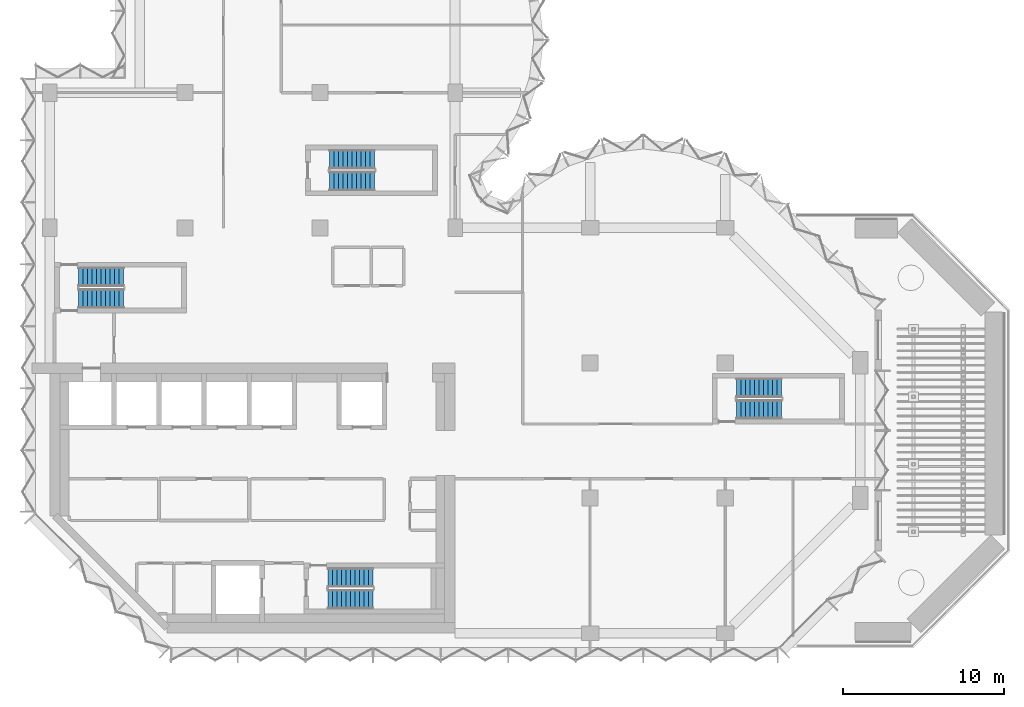
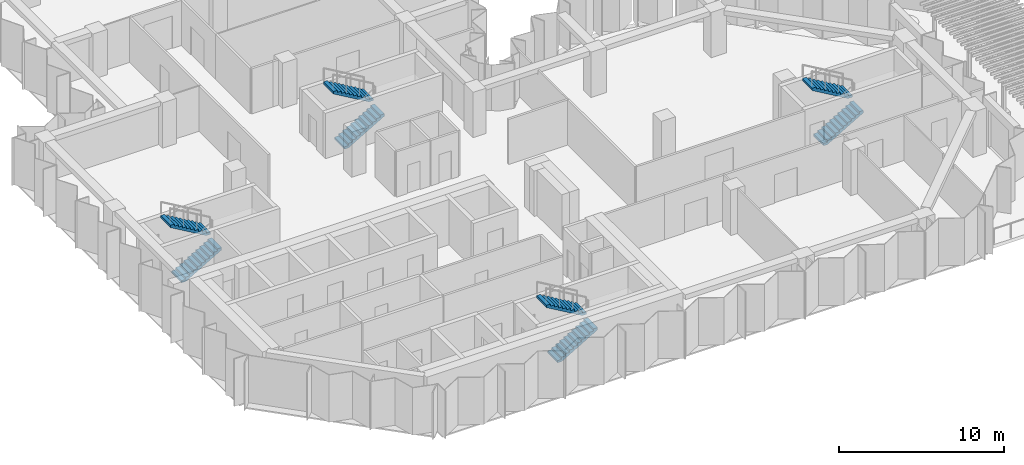
# One storey, part 11 of 14: 8 stair flights, 4 elements without a shape of their own.
"""IFC4 building model written with IfcOpenShell, lengths in metres."""

from ifc_helpers import new_model, si_unit, direction, frame, origin, place, context, subcontext, project, spatial, polyline, outline, extrude, material, type_object, element, aggregate, save


model = new_model("IFC4")

# Units and contexts
model_context = context("Model", 3, precision=1e-05, world=origin(), true_north=direction((0.0, 1.0)))
body_context = subcontext(model_context, "Body", "Model", "MODEL_VIEW")
ifc_project = project(units=[si_unit("LENGTHUNIT", "METRE"), si_unit("AREAUNIT", "SQUARE_METRE"), si_unit("VOLUMEUNIT", "CUBIC_METRE"), si_unit("PLANEANGLEUNIT", "RADIAN"), si_unit("MASSUNIT", "GRAM", prefix="KILO")], contexts=[model_context])

# Site, building, storey
site_placement = place(None, origin())
site = spatial("IfcSite", under=ifc_project, at=site_placement, CompositionType="ELEMENT")
building_placement = place(site_placement, origin())
building = spatial("IfcBuilding", under=site, at=building_placement, Name="Brevane Broadcast Tower", CompositionType="ELEMENT")
storey_placement = place(building_placement, frame((0.0, 0.0, 184.800048828125)))
storey = spatial("IfcBuildingStorey", under=building, at=storey_placement, Name="L46", CompositionType="ELEMENT", Elevation=184.800048828125)

# Stair, stair flights
ifc_material = material(Name="Concrete C50/60", Category="concrete")
stair_type = type_object("IfcStairType", Name="Exit stair 22 risers", PredefinedType="HALF_TURN_STAIR", material=ifc_material)
stair_1_placement = place(storey_placement, origin())
stair_1 = element("IfcStair", 1, at=stair_1_placement, inside=storey, type_object=stair_type, Name="L46 Exit stair ST-1", PredefinedType="HALF_TURN_STAIR")
stair_flight_type = type_object("IfcStairFlightType", Name="Exit stair flight 22 risers", PredefinedType="STRAIGHT", material=ifc_material)
stair_flight_1_placement = place(storey_placement, frame((1.800048828125, 20.800048828125, 0.0), z_axis=(0.0, 0.0, 1.0), x_axis=(1.0, 0.0, 0.0)))
stair_flight_1 = element("IfcStairFlight", 2, at=stair_flight_1_placement, type_object=stair_flight_type, Name="ST-1 flight 1", NumberOfRisers=11, NumberOfTreads=10, PredefinedType="STRAIGHT", RiserHeight=0.163636364, TreadLength=0.28, context=body_context, shape_type="SweptSolid", body=[
    extrude(outline(polyline([(0.0, 0.0), (0.0, 0.16357421875), (0.280029296875, 0.16357421875), (0.280029296875, 0.327392578125), (0.56005859375, 0.327392578125), (0.56005859375, 0.490966796875), (0.840087890625, 0.490966796875), (0.840087890625, 0.654541015625), (1.1201171875, 0.654541015625), (1.1201171875, 0.818115234375), (1.39990234375, 0.818115234375), (1.39990234375, 0.98193359375), (1.679931640625, 0.98193359375), (1.679931640625, 1.1455078125), (1.9599609375, 1.1455078125), (1.9599609375, 1.30908203125), (2.239990234375, 1.30908203125), (2.239990234375, 1.47265625), (2.52001953125, 1.47265625), (2.52001953125, 1.636474609375), (2.800048828125, 1.636474609375), (2.800048828125, 1.800048828125), (2.800048828125, 1.462646484375), (0.297119140625, 0.0), (0.0, 0.0)])), frame((0.0, 0.60009765625, 0.0), z_axis=(0.0, -1.0, 0.0), x_axis=(1.0, 0.0, 0.0)), (0.0, 0.0, 1.0), 1.199951171875),
])
stair_flight_2_placement = place(storey_placement, frame((4.60009765625, 22.14990234375, 1.800048828125), z_axis=(0.0, 0.0, 1.0), x_axis=(-1.0, 0.0, 0.0)))
stair_flight_2 = element("IfcStairFlight", 3, at=stair_flight_2_placement, type_object=stair_flight_type, Name="ST-1 flight 2", NumberOfRisers=11, NumberOfTreads=10, PredefinedType="STRAIGHT", RiserHeight=0.163636364, TreadLength=0.28, context=body_context, shape_type="SweptSolid", body=[
    extrude(outline(polyline([(0.0, 0.0), (0.0, 0.16357421875), (0.280029296875, 0.16357421875), (0.280029296875, 0.327392578125), (0.56005859375, 0.327392578125), (0.56005859375, 0.490966796875), (0.840087890625, 0.490966796875), (0.840087890625, 0.654541015625), (1.1201171875, 0.654541015625), (1.1201171875, 0.818115234375), (1.39990234375, 0.818115234375), (1.39990234375, 0.98193359375), (1.679931640625, 0.98193359375), (1.679931640625, 1.1455078125), (1.9599609375, 1.1455078125), (1.9599609375, 1.30908203125), (2.239990234375, 1.30908203125), (2.239990234375, 1.47265625), (2.52001953125, 1.47265625), (2.52001953125, 1.636474609375), (2.800048828125, 1.636474609375), (2.800048828125, 1.800048828125), (2.800048828125, 1.462646484375), (0.297119140625, 0.0), (0.0, 0.0)])), frame((0.0, 0.60009765625, 0.0), z_axis=(0.0, -1.0, 0.0), x_axis=(1.0, 0.0, 0.0)), (0.0, 0.0, 1.0), 1.199951171875),
])
aggregate(stair_1, [stair_flight_1, stair_flight_2])

stair_2_placement = place(storey_placement, origin())
stair_2 = element("IfcStair", 4, at=stair_2_placement, inside=storey, type_object=stair_type, Name="L46 Exit stair ST-2", PredefinedType="HALF_TURN_STAIR")
stair_flight_3_placement = place(storey_placement, frame((17.300048828125, 2.10009765625, 0.0), z_axis=(0.0, 0.0, 1.0), x_axis=(1.0, 0.0, 0.0)))
stair_flight_3 = element("IfcStairFlight", 5, at=stair_flight_3_placement, type_object=stair_flight_type, Name="ST-2 flight 1", NumberOfRisers=11, NumberOfTreads=10, PredefinedType="STRAIGHT", RiserHeight=0.163636364, TreadLength=0.28, context=body_context, shape_type="SweptSolid", body=[
    extrude(outline(polyline([(0.0, 0.0), (0.0, 0.16357421875), (0.280029296875, 0.16357421875), (0.280029296875, 0.327392578125), (0.56005859375, 0.327392578125), (0.56005859375, 0.490966796875), (0.840087890625, 0.490966796875), (0.840087890625, 0.654541015625), (1.1201171875, 0.654541015625), (1.1201171875, 0.818115234375), (1.39990234375, 0.818115234375), (1.39990234375, 0.98193359375), (1.679931640625, 0.98193359375), (1.679931640625, 1.1455078125), (1.9599609375, 1.1455078125), (1.9599609375, 1.30908203125), (2.239990234375, 1.30908203125), (2.239990234375, 1.47265625), (2.52001953125, 1.47265625), (2.52001953125, 1.636474609375), (2.800048828125, 1.636474609375), (2.800048828125, 1.800048828125), (2.800048828125, 1.462646484375), (0.297119140625, 0.0), (0.0, 0.0)])), frame((0.0, 0.60009765625, 0.0), z_axis=(0.0, -1.0, 0.0), x_axis=(1.0, 0.0, 0.0)), (0.0, 0.0, 1.0), 1.199951171875),
])
stair_flight_4_placement = place(storey_placement, frame((20.10009765625, 3.449951171875, 1.800048828125), z_axis=(0.0, 0.0, 1.0), x_axis=(-1.0, 0.0, 0.0)))
stair_flight_4 = element("IfcStairFlight", 6, at=stair_flight_4_placement, type_object=stair_flight_type, Name="ST-2 flight 2", NumberOfRisers=11, NumberOfTreads=10, PredefinedType="STRAIGHT", RiserHeight=0.163636364, TreadLength=0.28, context=body_context, shape_type="SweptSolid", body=[
    extrude(outline(polyline([(0.0, 0.0), (0.0, 0.16357421875), (0.280029296875, 0.16357421875), (0.280029296875, 0.327392578125), (0.56005859375, 0.327392578125), (0.56005859375, 0.490966796875), (0.840087890625, 0.490966796875), (0.840087890625, 0.654541015625), (1.1201171875, 0.654541015625), (1.1201171875, 0.818115234375), (1.39990234375, 0.818115234375), (1.39990234375, 0.98193359375), (1.679931640625, 0.98193359375), (1.679931640625, 1.1455078125), (1.9599609375, 1.1455078125), (1.9599609375, 1.30908203125), (2.239990234375, 1.30908203125), (2.239990234375, 1.47265625), (2.52001953125, 1.47265625), (2.52001953125, 1.636474609375), (2.800048828125, 1.636474609375), (2.800048828125, 1.800048828125), (2.800048828125, 1.462646484375), (0.297119140625, 0.0), (0.0, 0.0)])), frame((0.0, 0.60009765625, 0.0), z_axis=(0.0, -1.0, 0.0), x_axis=(1.0, 0.0, 0.0)), (0.0, 0.0, 1.0), 1.199951171875),
])
aggregate(stair_2, [stair_flight_3, stair_flight_4])

stair_3_placement = place(storey_placement, origin())
stair_3 = element("IfcStair", 7, at=stair_3_placement, inside=storey, type_object=stair_type, Name="L46 Exit stair ST-3", PredefinedType="HALF_TURN_STAIR")
stair_flight_5_placement = place(storey_placement, frame((17.39990234375, 28.10009765625, 0.0), z_axis=(0.0, 0.0, 1.0), x_axis=(1.0, 0.0, 0.0)))
stair_flight_5 = element("IfcStairFlight", 8, at=stair_flight_5_placement, type_object=stair_flight_type, Name="ST-3 flight 1", NumberOfRisers=11, NumberOfTreads=10, PredefinedType="STRAIGHT", RiserHeight=0.163636364, TreadLength=0.28, context=body_context, shape_type="SweptSolid", body=[
    extrude(outline(polyline([(0.0, 0.0), (0.0, 0.16357421875), (0.280029296875, 0.16357421875), (0.280029296875, 0.327392578125), (0.56005859375, 0.327392578125), (0.56005859375, 0.490966796875), (0.840087890625, 0.490966796875), (0.840087890625, 0.654541015625), (1.1201171875, 0.654541015625), (1.1201171875, 0.818115234375), (1.39990234375, 0.818115234375), (1.39990234375, 0.98193359375), (1.679931640625, 0.98193359375), (1.679931640625, 1.1455078125), (1.9599609375, 1.1455078125), (1.9599609375, 1.30908203125), (2.239990234375, 1.30908203125), (2.239990234375, 1.47265625), (2.52001953125, 1.47265625), (2.52001953125, 1.636474609375), (2.800048828125, 1.636474609375), (2.800048828125, 1.800048828125), (2.800048828125, 1.462646484375), (0.297119140625, 0.0), (0.0, 0.0)])), frame((0.0, 0.60009765625, 0.0), z_axis=(0.0, -1.0, 0.0), x_axis=(1.0, 0.0, 0.0)), (0.0, 0.0, 1.0), 1.199951171875),
])
stair_flight_6_placement = place(storey_placement, frame((20.199951171875, 29.449951171875, 1.800048828125), z_axis=(0.0, 0.0, 1.0), x_axis=(-1.0, 0.0, 0.0)))
stair_flight_6 = element("IfcStairFlight", 9, at=stair_flight_6_placement, type_object=stair_flight_type, Name="ST-3 flight 2", NumberOfRisers=11, NumberOfTreads=10, PredefinedType="STRAIGHT", RiserHeight=0.163636364, TreadLength=0.28, context=body_context, shape_type="SweptSolid", body=[
    extrude(outline(polyline([(0.0, 0.0), (0.0, 0.16357421875), (0.280029296875, 0.16357421875), (0.280029296875, 0.327392578125), (0.56005859375, 0.327392578125), (0.56005859375, 0.490966796875), (0.840087890625, 0.490966796875), (0.840087890625, 0.654541015625), (1.1201171875, 0.654541015625), (1.1201171875, 0.818115234375), (1.39990234375, 0.818115234375), (1.39990234375, 0.98193359375), (1.679931640625, 0.98193359375), (1.679931640625, 1.1455078125), (1.9599609375, 1.1455078125), (1.9599609375, 1.30908203125), (2.239990234375, 1.30908203125), (2.239990234375, 1.47265625), (2.52001953125, 1.47265625), (2.52001953125, 1.636474609375), (2.800048828125, 1.636474609375), (2.800048828125, 1.800048828125), (2.800048828125, 1.462646484375), (0.297119140625, 0.0), (0.0, 0.0)])), frame((0.0, 0.60009765625, 0.0), z_axis=(0.0, -1.0, 0.0), x_axis=(1.0, 0.0, 0.0)), (0.0, 0.0, 1.0), 1.199951171875),
])
aggregate(stair_3, [stair_flight_5, stair_flight_6])

stair_4_placement = place(storey_placement, origin())
stair_4 = element("IfcStair", 10, at=stair_4_placement, inside=storey, type_object=stair_type, Name="L46 Exit stair ST-4", PredefinedType="HALF_TURN_STAIR")
stair_flight_7_placement = place(storey_placement, frame((42.699951171875, 13.89990234375, 0.0), z_axis=(0.0, 0.0, 1.0), x_axis=(1.0, 0.0, 0.0)))
stair_flight_7 = element("IfcStairFlight", 11, at=stair_flight_7_placement, type_object=stair_flight_type, Name="ST-4 flight 1", NumberOfRisers=11, NumberOfTreads=10, PredefinedType="STRAIGHT", RiserHeight=0.163636364, TreadLength=0.28, context=body_context, shape_type="SweptSolid", body=[
    extrude(outline(polyline([(0.0, 0.0), (0.0, 0.16357421875), (0.280029296875, 0.16357421875), (0.280029296875, 0.327392578125), (0.56005859375, 0.327392578125), (0.56005859375, 0.490966796875), (0.840087890625, 0.490966796875), (0.840087890625, 0.654541015625), (1.1201171875, 0.654541015625), (1.1201171875, 0.818115234375), (1.39990234375, 0.818115234375), (1.39990234375, 0.98193359375), (1.679931640625, 0.98193359375), (1.679931640625, 1.1455078125), (1.9599609375, 1.1455078125), (1.9599609375, 1.30908203125), (2.239990234375, 1.30908203125), (2.239990234375, 1.47265625), (2.52001953125, 1.47265625), (2.52001953125, 1.636474609375), (2.800048828125, 1.636474609375), (2.800048828125, 1.800048828125), (2.800048828125, 1.462646484375), (0.297119140625, 0.0), (0.0, 0.0)])), frame((0.0, 0.60009765625, 0.0), z_axis=(0.0, -1.0, 0.0), x_axis=(1.0, 0.0, 0.0)), (0.0, 0.0, 1.0), 1.199951171875),
])
stair_flight_8_placement = place(storey_placement, frame((45.5, 15.25, 1.800048828125), z_axis=(0.0, 0.0, 1.0), x_axis=(-1.0, 0.0, 0.0)))
stair_flight_8 = element("IfcStairFlight", 12, at=stair_flight_8_placement, type_object=stair_flight_type, Name="ST-4 flight 2", NumberOfRisers=11, NumberOfTreads=10, PredefinedType="STRAIGHT", RiserHeight=0.163636364, TreadLength=0.28, context=body_context, shape_type="SweptSolid", body=[
    extrude(outline(polyline([(0.0, 0.0), (0.0, 0.16357421875), (0.280029296875, 0.16357421875), (0.280029296875, 0.327392578125), (0.56005859375, 0.327392578125), (0.56005859375, 0.490966796875), (0.840087890625, 0.490966796875), (0.840087890625, 0.654541015625), (1.1201171875, 0.654541015625), (1.1201171875, 0.818115234375), (1.39990234375, 0.818115234375), (1.39990234375, 0.98193359375), (1.679931640625, 0.98193359375), (1.679931640625, 1.1455078125), (1.9599609375, 1.1455078125), (1.9599609375, 1.30908203125), (2.239990234375, 1.30908203125), (2.239990234375, 1.47265625), (2.52001953125, 1.47265625), (2.52001953125, 1.636474609375), (2.800048828125, 1.636474609375), (2.800048828125, 1.800048828125), (2.800048828125, 1.462646484375), (0.297119140625, 0.0), (0.0, 0.0)])), frame((0.0, 0.60009765625, 0.0), z_axis=(0.0, -1.0, 0.0), x_axis=(1.0, 0.0, 0.0)), (0.0, 0.0, 1.0), 1.199951171875),
])
aggregate(stair_4, [stair_flight_7, stair_flight_8])

save(model, "model.ifc")
